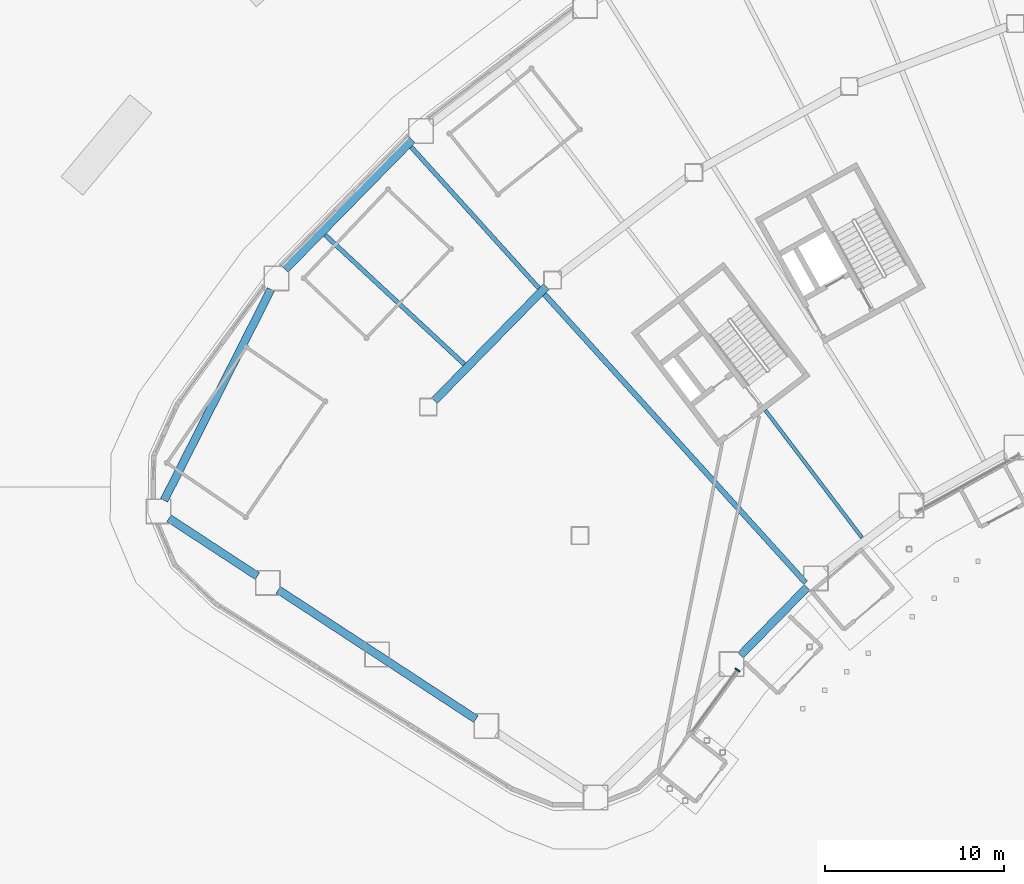
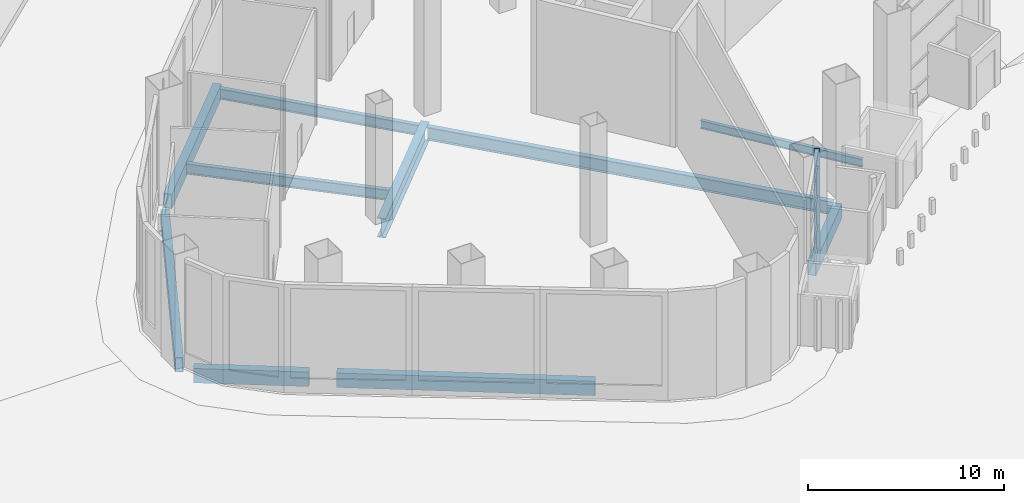
# One storey, part 11 of 45: 10 beams, 1 member, 1 element without a shape of its own.
"""IFC4 building model written with IfcOpenShell, lengths in metres."""

from ifc_helpers import new_model, si_unit, direction, frame, origin, origin_2d, place, context, subcontext, project, spatial, rectangle, hollow_rectangle, i_section, extrude, material, layer, layer_set, material_profile, profile_set, type_object, element, aggregate, save


model = new_model("IFC4")

# Units and contexts
model_context = context("Model", 3, precision=1e-05, world=origin(), true_north=direction((0.0, 1.0)))
body_context = subcontext(model_context, "Body", "Model", "MODEL_VIEW")
ifc_project = project(units=[si_unit("LENGTHUNIT", "METRE"), si_unit("AREAUNIT", "SQUARE_METRE"), si_unit("VOLUMEUNIT", "CUBIC_METRE"), si_unit("PLANEANGLEUNIT", "RADIAN"), si_unit("MASSUNIT", "GRAM", prefix="KILO")], contexts=[model_context])

# Site, building, storey
site_placement = place(None, origin())
site = spatial("IfcSite", under=ifc_project, at=site_placement, CompositionType="ELEMENT")
building_placement = place(site_placement, origin())
building = spatial("IfcBuilding", under=site, at=building_placement, Name="Tuul Gate Civic Tower", CompositionType="ELEMENT")
storey_placement = place(building_placement, origin())
storey = spatial("IfcBuildingStorey", under=building, at=storey_placement, Name="Level 00", CompositionType="ELEMENT", Elevation=0.0)

# Curtain wall, member
ifc_material_1 = material(Name="Aluminium", Category="aluminium")
ifc_layer = layer(ifc_material_1, 0.199951171875)
ifc_layer_set = layer_set([ifc_layer], Name="Aluminium")
curtain_wall_type = type_object("IfcCurtainWallType", Name="Curtain wall CW1", PredefinedType="NOTDEFINED", material=ifc_layer_set)
curtain_wall_placement = place(storey_placement, origin())
curtain_wall = element("IfcCurtainWall", 1, at=curtain_wall_placement, inside=storey, type_object=curtain_wall_type, Name="Curtain wall CW1", PredefinedType="NOTDEFINED")
ifc_material_2 = material(Name="Aluminium", Category="aluminium")
ifc_material_profile_1 = material_profile(ifc_material_2, rectangle(XDim=0.300048828125, YDim=0.070068359375, at=origin_2d()), Name="CW1 mullion")
ifc_profile_set_1 = profile_set([ifc_material_profile_1], Name="Aluminium")
member_type = type_object("IfcMemberType", Name="CW1 mullion", PredefinedType="MULLION", material=ifc_profile_set_1)
member_placement = place(storey_placement, frame((-35.168701171875, -30.2353515625, 0.0), z_axis=(0.0, 0.0, 1.0), x_axis=(-0.807581267659, 0.58975630232, 0.0)))
member = element("IfcMember", 2, at=member_placement, type_object=member_type, Name="Mullion", PredefinedType="MULLION", context=body_context, shape_type="SweptSolid", body=[
    extrude(rectangle(XDim=0.300048828125, YDim=0.070068359375, at=origin_2d()), origin(), (0.0, 0.0, 1.0), 7.14990234375),
])
aggregate(curtain_wall, [member])

# Beams
ifc_material_3 = material(Name="Steel S355", Category="steel")
ifc_material_profile_2 = material_profile(ifc_material_3, i_section(OverallWidth=0.199951171875, OverallDepth=0.5, WebThickness=0.010009765625, FlangeThickness=0.01611328125, at=origin_2d()), Name="PG500x200x10x16")
ifc_profile_set_2 = profile_set([ifc_material_profile_2], Name="Steel S355")
beam_type_1 = type_object("IfcBeamType", Name="STR-FLOOR BEAM-PG500x200x10x16", PredefinedType="BEAM", material=ifc_profile_set_2)
beam_1_placement = place(storey_placement, frame((-28.20361328125, -22.83447265625, -0.64990234375), z_axis=(-0.604507057629, 0.796599784884, 0.0), x_axis=(-0.796599784884, -0.604507057629, 0.0)))
element("IfcBeam", 3, at=beam_1_placement, inside=storey, type_object=beam_type_1, Name="Floor beam", PredefinedType="BEAM", context=body_context, shape_type="SweptSolid", body=[
    extrude(i_section(OverallWidth=0.199951171875, OverallDepth=0.5, WebThickness=0.010009765625, FlangeThickness=0.01611328125, at=origin_2d()), origin(), (0.0, 0.0, 1.0), 8.951416015625),
])
ifc_material_4 = material(Name="Steel S355", Category="steel")
ifc_material_profile_3 = material_profile(ifc_material_4, i_section(OverallWidth=0.25, OverallDepth=0.64990234375, WebThickness=0.011962890625, FlangeThickness=0.02001953125, at=origin_2d()), Name="PG650x250x12x20")
ifc_profile_set_3 = profile_set([ifc_material_profile_3], Name="Steel S355")
beam_type_2 = type_object("IfcBeamType", Name="STR-FLOOR BEAM-PG650x250x12x20", PredefinedType="BEAM", material=ifc_profile_set_3)
beam_2_placement = place(storey_placement, frame((-46.27490234375, -8.881103515625, -0.72509765625), z_axis=(-0.671117501912, 0.741350995567, 0.0), x_axis=(-0.741350995567, -0.671117501912, 0.0)))
element("IfcBeam", 4, at=beam_2_placement, inside=storey, type_object=beam_type_2, Name="Floor beam", PredefinedType="BEAM", context=body_context, shape_type="SweptSolid", body=[
    extrude(i_section(OverallWidth=0.25, OverallDepth=0.64990234375, WebThickness=0.011962890625, FlangeThickness=0.02001953125, at=origin_2d()), origin(), (0.0, 0.0, 1.0), 10.643798828125),
])
beam_3_placement = place(storey_placement, frame((-50.448974609375, -13.139404296875, -0.72509765625), z_axis=(-0.732685493637, 0.680567386387, 0.0), x_axis=(-0.680567386387, -0.732685493637, 0.0)))
element("IfcBeam", 5, at=beam_3_placement, inside=storey, type_object=beam_type_2, Name="Floor beam", PredefinedType="BEAM", context=body_context, shape_type="SweptSolid", body=[
    extrude(i_section(OverallWidth=0.25, OverallDepth=0.64990234375, WebThickness=0.011962890625, FlangeThickness=0.02001953125, at=origin_2d()), origin(), (0.0, 0.0, 1.0), 10.62890625),
])
ifc_material_5 = material(Name="Steel S355", Category="steel")
ifc_material_profile_4 = material_profile(ifc_material_5, i_section(OverallWidth=0.300048828125, OverallDepth=0.800048828125, WebThickness=0.013916015625, FlangeThickness=0.02490234375, at=origin_2d()), Name="PG800x300x14x25")
ifc_profile_set_4 = profile_set([ifc_material_profile_4], Name="Steel S355")
beam_type_3 = type_object("IfcBeamType", Name="STR-FLOOR BEAM-PG800x300x14x25", PredefinedType="BEAM", material=ifc_profile_set_4)
beam_4_placement = place(storey_placement, frame((-31.366455078125, -25.35009765625, -0.800048828125), z_axis=(-0.671111274621, 0.741356632854, 0.0), x_axis=(-0.741356632854, -0.671111274621, 0.0)))
element("IfcBeam", 6, at=beam_4_placement, inside=storey, type_object=beam_type_3, Name="Floor beam", PredefinedType="BEAM", context=body_context, shape_type="SweptSolid", body=[
    extrude(i_section(OverallWidth=0.300048828125, OverallDepth=0.800048828125, WebThickness=0.013916015625, FlangeThickness=0.02490234375, at=origin_2d()), origin(), (0.0, 0.0, 1.0), 21.763916015625),
])
ifc_material_6 = material(Name="Steel S355", Category="steel")
ifc_material_profile_5 = material_profile(ifc_material_6, i_section(OverallWidth=0.449951171875, OverallDepth=1.199951171875, WebThickness=0.02001953125, FlangeThickness=0.0400390625, at=origin_2d()), Name="PG1200x450x20x40")
ifc_profile_set_5 = profile_set([ifc_material_profile_5], Name="Steel S355")
beam_type_4 = type_object("IfcBeamType", Name="STR-RING BEAM-PG1200x450x20x40", PredefinedType="BEAM", material=ifc_profile_set_5)
beam_5_placement = place(storey_placement, frame((-52.121337890625, -15.1669921875, -1.0), z_axis=(0.700011333418, 0.714131733706, 0.0), x_axis=(-0.714131733706, 0.700011333418, 0.0)))
element("IfcBeam", 7, at=beam_5_placement, inside=storey, type_object=beam_type_4, Name="Ring girder", PredefinedType="BEAM", context=body_context, shape_type="SweptSolid", body=[
    extrude(i_section(OverallWidth=0.449951171875, OverallDepth=1.199951171875, WebThickness=0.02001953125, FlangeThickness=0.0400390625, at=origin_2d()), origin(), (0.0, 0.0, 1.0), 8.93896484375),
])
ifc_material_7 = material(Name="Steel S355", Category="steel")
ifc_material_profile_6 = material_profile(ifc_material_7, hollow_rectangle(XDim=0.449951171875, YDim=0.89990234375, WallThickness=0.02490234375, at=origin_2d()), Name="BOX900x450x25")
ifc_profile_set_6 = profile_set([ifc_material_profile_6], Name="Steel S355")
beam_type_5 = type_object("IfcBeamType", Name="STR-SPANDREL BEAM-BOX900x450x25", PredefinedType="BEAM", material=ifc_profile_set_6)
beam_6_placement = place(storey_placement, frame((-53.367919921875, -0.581787109375, -0.85009765625), z_axis=(-0.700009826077, -0.714133211239, 0.0), x_axis=(0.714133211239, -0.700009826077, 0.0)))
element("IfcBeam", 8, at=beam_6_placement, inside=storey, type_object=beam_type_5, Name="Spandrel beam", PredefinedType="BEAM", context=body_context, shape_type="SweptSolid", body=[
    extrude(hollow_rectangle(XDim=0.449951171875, YDim=0.89990234375, WallThickness=0.02490234375, at=origin_2d()), origin(), (0.0, 0.0, 1.0), 10.14697265625),
])
beam_7_placement = place(storey_placement, frame((-61.277099609375, -8.95263671875, -0.85009765625), z_axis=(-0.451678979782, -0.892180530623, 0.0), x_axis=(0.892180530623, -0.451678979782, 0.0)))
element("IfcBeam", 9, at=beam_7_placement, inside=storey, type_object=beam_type_5, Name="Spandrel beam", PredefinedType="BEAM", context=body_context, shape_type="SweptSolid", body=[
    extrude(hollow_rectangle(XDim=0.449951171875, YDim=0.89990234375, WallThickness=0.02490234375, at=origin_2d()), origin(), (0.0, 0.0, 1.0), 13.214599609375),
])
beam_8_placement = place(storey_placement, frame((-66.976318359375, -21.750244140625, -0.85009765625), z_axis=(0.836737319566, -0.547604472265, 0.0), x_axis=(0.547604472265, 0.836737319566, 0.0)))
element("IfcBeam", 10, at=beam_8_placement, inside=storey, type_object=beam_type_5, Name="Spandrel beam", PredefinedType="BEAM", context=body_context, shape_type="SweptSolid", body=[
    extrude(hollow_rectangle(XDim=0.449951171875, YDim=0.89990234375, WallThickness=0.02490234375, at=origin_2d()), origin(), (0.0, 0.0, 1.0), 5.908203125),
])
beam_9_placement = place(storey_placement, frame((-60.861328125, -25.752197265625, -0.85009765625), z_axis=(0.836741071493, -0.547598739294, 0.0), x_axis=(0.547598739294, 0.836741071493, 0.0)))
element("IfcBeam", 11, at=beam_9_placement, inside=storey, type_object=beam_type_5, Name="Spandrel beam", PredefinedType="BEAM", context=body_context, shape_type="SweptSolid", body=[
    extrude(hollow_rectangle(XDim=0.449951171875, YDim=0.89990234375, WallThickness=0.02490234375, at=origin_2d()), origin(), (0.0, 0.0, 1.0), 13.215087890625),
])
beam_10_placement = place(storey_placement, frame((-35.001953125, -29.416015625, -0.85009765625), z_axis=(0.700007662648, 0.714135331876, 0.0), x_axis=(-0.714135331876, 0.700007662648, 0.0)))
element("IfcBeam", 12, at=beam_10_placement, inside=storey, type_object=beam_type_5, Name="Spandrel beam", PredefinedType="BEAM", context=body_context, shape_type="SweptSolid", body=[
    extrude(hollow_rectangle(XDim=0.449951171875, YDim=0.89990234375, WallThickness=0.02490234375, at=origin_2d()), origin(), (0.0, 0.0, 1.0), 5.322509765625),
])

save(model, "model.ifc")
